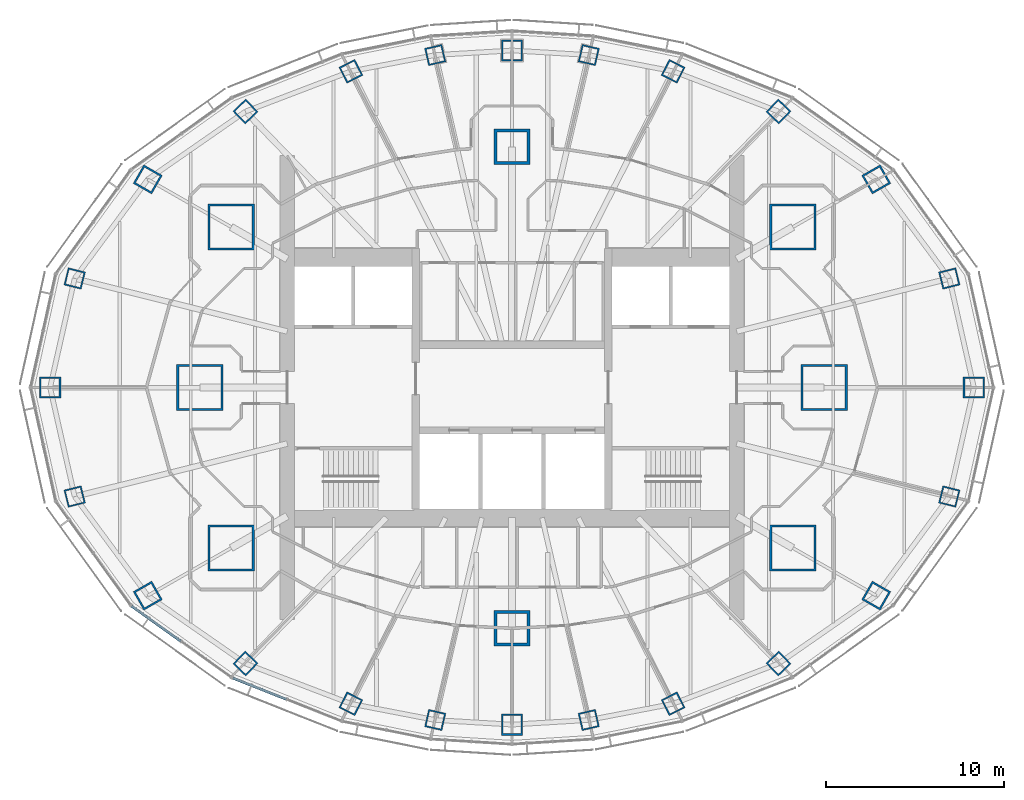
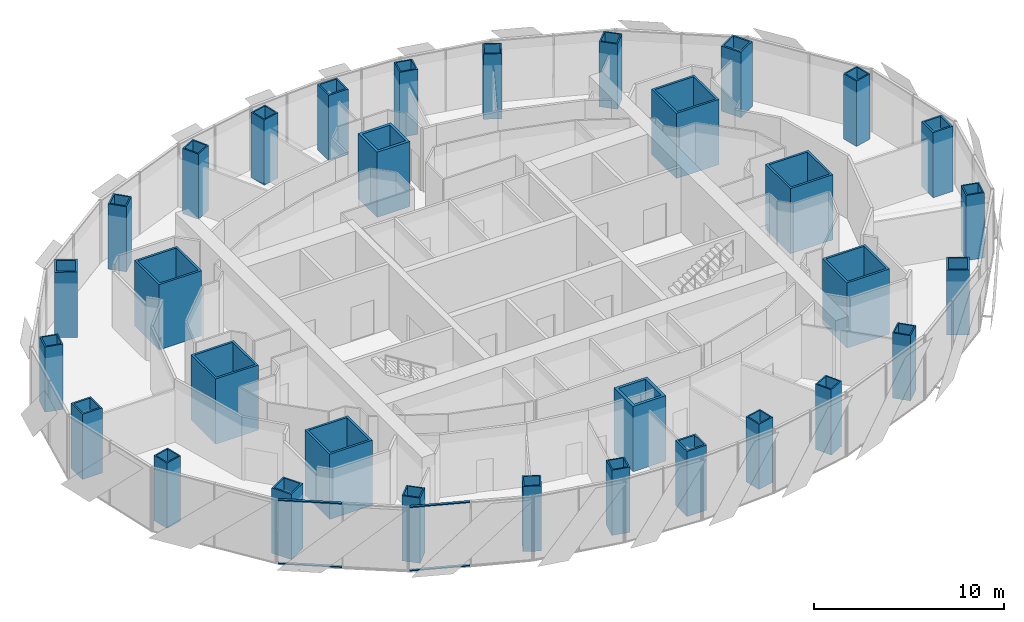
# One storey, part 1 of 18: 32 columns, 4 members, 2 elements without a shape of their own.
"""IFC4 building model written with IfcOpenShell, lengths in metres."""

from ifc_helpers import new_model, si_unit, direction, frame, origin, origin_2d, place, context, subcontext, project, spatial, rectangle, hollow_rectangle, extrude, material, material_profile, profile_set, type_object, element, aggregate, save


model = new_model("IFC4")

# Units and contexts
model_context = context("Model", 3, precision=1e-05, world=origin(), true_north=direction((0.0, 1.0)))
body_context = subcontext(model_context, "Body", "Model", "MODEL_VIEW")
ifc_project = project(units=[si_unit("LENGTHUNIT", "METRE"), si_unit("AREAUNIT", "SQUARE_METRE"), si_unit("VOLUMEUNIT", "CUBIC_METRE"), si_unit("PLANEANGLEUNIT", "RADIAN"), si_unit("MASSUNIT", "GRAM", prefix="KILO")], contexts=[model_context])

# Site, building, storey
site_placement = place(None, origin())
site = spatial("IfcSite", under=ifc_project, at=site_placement, CompositionType="ELEMENT")
building_placement = place(site_placement, origin())
building = spatial("IfcBuilding", under=site, at=building_placement, Name="Lantaw Convention Tower", CompositionType="ELEMENT")
storey_placement = place(building_placement, frame((0.0, 0.0, 228.39990234375)))
storey = spatial("IfcBuildingStorey", under=building, at=storey_placement, Name="L53", CompositionType="ELEMENT", Elevation=228.39990234375)

# Columns
ifc_material_1 = material(Name="Steel EN 10025-3 S460N", Category="steel")
ifc_material_profile_1 = material_profile(ifc_material_1, hollow_rectangle(XDim=2.0, YDim=2.0, WallThickness=0.169921875, at=origin_2d()), Name="BOX2000X170")
ifc_material_2 = material(Name="Concrete C60/75", Category="concrete")
ifc_material_profile_2 = material_profile(ifc_material_2, rectangle(XDim=1.659912109375, YDim=1.659912109375, at=origin_2d()), Name="Concrete fill of BOX2000X170")
ifc_profile_set_1 = profile_set([ifc_material_profile_1, ifc_material_profile_2], Name="Steel EN 10025-3 S460N")
column_type_1 = type_object("IfcColumnType", Name="Column MC BOX2000X170", PredefinedType="COLUMN", material=ifc_profile_set_1)
for number, where, z_axis, x_axis, name in (
    (1, (0.0, 13.5, 0.0), (0.0, 0.0, 1.0), (1.0, 0.0, 0.0), "Mega column M3"),
    (2, (0.0, -13.5, 0.0), (0.0, 0.0, 1.0), (1.0, 0.0, 0.0), "Mega column M7"),
):
    element("IfcColumn", number, at=place(storey_placement, frame(where, z_axis=z_axis, x_axis=x_axis)), inside=storey, type_object=column_type_1, Name=name, PredefinedType="COLUMN", context=body_context, shape_type="SweptSolid", body=[
        extrude(hollow_rectangle(XDim=2.0, YDim=2.0, WallThickness=0.169921875, at=origin_2d()), origin(), (0.0, 0.0, 1.0), 4.2001953125),
    ])
ifc_material_profile_3 = material_profile(ifc_material_1, hollow_rectangle(XDim=2.60009765625, YDim=2.60009765625, WallThickness=0.1298828125, at=origin_2d()), Name="BOX2600X130")
ifc_material_profile_4 = material_profile(ifc_material_2, rectangle(XDim=2.340087890625, YDim=2.340087890625, at=origin_2d()), Name="Concrete fill of BOX2600X130")
ifc_profile_set_2 = profile_set([ifc_material_profile_3, ifc_material_profile_4], Name="Steel EN 10025-3 S460N")
column_type_2 = type_object("IfcColumnType", Name="Column MC BOX2600X130", PredefinedType="COLUMN", material=ifc_profile_set_2)
for number, where, z_axis, x_axis, name in (
    (3, (17.5, 0.0, 0.0), (0.0, 0.0, 1.0), (1.0, 0.0, 0.0), "Mega column M1"),
    (4, (15.75, 9.0, 0.0), (0.0, 0.0, 1.0), (1.0, 0.0, 0.0), "Mega column M2"),
    (5, (-15.75, 9.0, 0.0), (0.0, 0.0, 1.0), (1.0, 0.0, 0.0), "Mega column M4"),
    (6, (-17.5, 0.0, 0.0), (0.0, 0.0, 1.0), (1.0, 0.0, 0.0), "Mega column M5"),
    (7, (-15.75, -9.0, 0.0), (0.0, 0.0, 1.0), (1.0, 0.0, 0.0), "Mega column M6"),
    (8, (15.75, -9.0, 0.0), (0.0, 0.0, 1.0), (1.0, 0.0, 0.0), "Mega column M8"),
):
    element("IfcColumn", number, at=place(storey_placement, frame(where, z_axis=z_axis, x_axis=x_axis)), inside=storey, type_object=column_type_2, Name=name, PredefinedType="COLUMN", context=body_context, shape_type="SweptSolid", body=[
        extrude(hollow_rectangle(XDim=2.60009765625, YDim=2.60009765625, WallThickness=0.1298828125, at=origin_2d()), origin(), (0.0, 0.0, 1.0), 4.2001953125),
    ])
ifc_material_3 = material(Name="Steel ASTM A572 Grade 50", Category="steel")
ifc_material_profile_5 = material_profile(ifc_material_3, hollow_rectangle(XDim=1.0, YDim=1.0, WallThickness=0.080078125, at=origin_2d()), Name="BOX1000X80")
ifc_material_profile_6 = material_profile(ifc_material_2, rectangle(XDim=0.840087890625, YDim=0.840087890625, at=origin_2d()), Name="Concrete fill of BOX1000X80")
ifc_profile_set_3 = profile_set([ifc_material_profile_5, ifc_material_profile_6], Name="Steel ASTM A572 Grade 50")
column_type_3 = type_object("IfcColumnType", Name="Column PC BOX1000X80", PredefinedType="COLUMN", material=ifc_profile_set_3)
for number, where, z_axis, x_axis, name in (
    (9, (24.52197265625, 6.114013671875, 0.0), (0.0, 0.0, 1.0), (0.970295726276, 0.2419218956, 0.0), "Perimeter column P2"),
    (10, (14.9443359375, 15.475341796875, 0.0), (0.0, 0.0, 1.0), (0.694658370459, 0.719339800339, 0.0), "Perimeter column P4"),
    (11, (9.03466796875, 17.7314453125, 0.0), (0.0, 0.0, 1.0), (0.45399049974, 0.891006524188, 0.0), "Perimeter column P5"),
    (12, (4.303955078125, 18.64208984375, 0.0), (0.0, 0.0, 1.0), (0.224951054344, 0.974370064785, 0.0), "Perimeter column P6"),
    (13, (-4.303955078125, 18.64208984375, 0.0), (0.0, 0.0, 1.0), (0.974370064785, 0.224951054344, 0.0), "Perimeter column P8"),
    (14, (-9.03466796875, 17.7314453125, 0.0), (0.0, 0.0, 1.0), (0.891006524188, 0.45399049974, 0.0), "Perimeter column P9"),
    (15, (-14.9443359375, 15.475341796875, 0.0), (0.0, 0.0, 1.0), (0.719339800339, 0.694658370459, 0.0), "Perimeter column P10"),
    (16, (-24.52197265625, 6.114013671875, 0.0), (0.0, 0.0, 1.0), (0.2419218956, 0.970295726276, 0.0), "Perimeter column P12"),
    (17, (-24.52197265625, -6.114013671875, 0.0), (0.0, 0.0, 1.0), (0.970295726276, 0.2419218956, 0.0), "Perimeter column P14"),
    (18, (-14.9443359375, -15.475341796875, 0.0), (0.0, 0.0, 1.0), (0.694658370459, 0.719339800339, 0.0), "Perimeter column P16"),
    (19, (-9.03466796875, -17.7314453125, 0.0), (0.0, 0.0, 1.0), (0.45399049974, 0.891006524188, 0.0), "Perimeter column P17"),
    (20, (-4.303955078125, -18.64208984375, 0.0), (0.0, 0.0, 1.0), (0.224951054344, 0.974370064785, 0.0), "Perimeter column P18"),
    (21, (4.303955078125, -18.64208984375, 0.0), (0.0, 0.0, 1.0), (0.974370064785, 0.224951054344, 0.0), "Perimeter column P20"),
    (22, (9.03466796875, -17.7314453125, 0.0), (0.0, 0.0, 1.0), (0.891006524188, 0.45399049974, 0.0), "Perimeter column P21"),
    (23, (14.9443359375, -15.475341796875, 0.0), (0.0, 0.0, 1.0), (0.719339800339, 0.694658370459, 0.0), "Perimeter column P22"),
    (24, (24.52197265625, -6.114013671875, 0.0), (0.0, 0.0, 1.0), (0.2419218956, 0.970295726276, 0.0), "Perimeter column P24"),
):
    element("IfcColumn", number, at=place(storey_placement, frame(where, z_axis=z_axis, x_axis=x_axis)), inside=storey, type_object=column_type_3, Name=name, PredefinedType="COLUMN", context=body_context, shape_type="SweptSolid", body=[
        extrude(hollow_rectangle(XDim=1.0, YDim=1.0, WallThickness=0.080078125, at=origin_2d()), origin(), (0.0, 0.0, 1.0), 4.2001953125),
    ])
ifc_material_profile_7 = material_profile(ifc_material_1, hollow_rectangle(XDim=1.199951171875, YDim=1.199951171875, WallThickness=0.10009765625, at=origin_2d()), Name="BOX1200X100")
ifc_material_profile_8 = material_profile(ifc_material_2, rectangle(XDim=1.0, YDim=1.0, at=origin_2d()), Name="Concrete fill of BOX1200X100")
ifc_profile_set_4 = profile_set([ifc_material_profile_7, ifc_material_profile_8], Name="Steel EN 10025-3 S460N")
column_type_4 = type_object("IfcColumnType", Name="Column PC BOX1200X100", PredefinedType="COLUMN", material=ifc_profile_set_4)
for number, where, z_axis, x_axis, name in (
    (25, (25.89990234375, 0.0, 0.0), (0.0, 0.0, 1.0), (1.0, 0.0, 0.0), "Perimeter column P1"),
    (26, (20.423095703125, 11.67041015625, 0.0), (0.0, 0.0, 1.0), (0.86824298017, 0.496139221777, 0.0), "Perimeter column P3"),
    (27, (0.0, 18.89990234375, 0.0), (0.0, 0.0, 1.0), (1.0, 0.0, 0.0), "Perimeter column P7"),
    (28, (-20.423095703125, 11.67041015625, 0.0), (0.0, 0.0, 1.0), (0.496139221777, 0.86824298017, 0.0), "Perimeter column P11"),
    (29, (-25.89990234375, 0.0, 0.0), (0.0, 0.0, 1.0), (1.0, 0.0, 0.0), "Perimeter column P13"),
    (30, (-20.423095703125, -11.67041015625, 0.0), (0.0, 0.0, 1.0), (0.86824298017, 0.496139221777, 0.0), "Perimeter column P15"),
    (31, (0.0, -18.89990234375, 0.0), (0.0, 0.0, 1.0), (1.0, 0.0, 0.0), "Perimeter column P19"),
    (32, (20.423095703125, -11.67041015625, 0.0), (0.0, 0.0, 1.0), (0.496139221777, 0.86824298017, 0.0), "Perimeter column P23"),
):
    element("IfcColumn", number, at=place(storey_placement, frame(where, z_axis=z_axis, x_axis=x_axis)), inside=storey, type_object=column_type_4, Name=name, PredefinedType="COLUMN", context=body_context, shape_type="SweptSolid", body=[
        extrude(hollow_rectangle(XDim=1.199951171875, YDim=1.199951171875, WallThickness=0.10009765625, at=origin_2d()), origin(), (0.0, 0.0, 1.0), 4.2001953125),
    ])

# Curtain wall, members
ifc_material_4 = material(Name="Aluminium framed curtain wall", Category="aluminium")
curtain_wall_type = type_object("IfcCurtainWallType", Name="Office curtain wall high rise, pale aluminium", PredefinedType="USERDEFINED", material=ifc_material_4)
curtain_wall_1_placement = place(storey_placement, origin())
curtain_wall_1 = element("IfcCurtainWall", 33, at=curtain_wall_1_placement, inside=storey, type_object=curtain_wall_type, Name="Office curtain wall high rise, pale aluminium L53", ObjectType="UNITISED CURTAIN WALL", PredefinedType="USERDEFINED")
ifc_material_5 = material(Name="Aluminium 6063-T6", Category="aluminium")
ifc_material_profile_9 = material_profile(ifc_material_5, rectangle(XDim=0.14990234375, YDim=0.06494140625, at=origin_2d()), Name="CW-O2 transom 65x150")
ifc_profile_set_5 = profile_set([ifc_material_profile_9], Name="Aluminium 6063-T6")
member_type = type_object("IfcMemberType", Name="CW-O2 transom 65x150", PredefinedType="USERDEFINED", material=ifc_profile_set_5)
member_1_placement = place(storey_placement, frame((-21.3251953125, -12.25390625, -0.117431640625), z_axis=(0.813679882592, -0.581313210468, 0.0), x_axis=(0.581313210468, 0.813679882592, 0.0)))
member_1 = element("IfcMember", 34, at=member_1_placement, type_object=member_type, Name="CW-O2 transom 1.1", ObjectType="TRANSOM", PredefinedType="USERDEFINED", context=body_context, shape_type="SweptSolid", body=[
    extrude(rectangle(XDim=0.14990234375, YDim=0.06494140625, at=origin_2d()), origin(), (0.0, 0.0, 1.0), 3.38623046875),
])
member_2_placement = place(storey_placement, frame((-21.3251953125, -12.25390625, 3.967529296875), z_axis=(0.813679882592, -0.581313210468, 0.0), x_axis=(0.581313210468, 0.813679882592, 0.0)))
member_2 = element("IfcMember", 35, at=member_2_placement, type_object=member_type, Name="CW-O2 transom 1.2", ObjectType="TRANSOM", PredefinedType="USERDEFINED", context=body_context, shape_type="SweptSolid", body=[
    extrude(rectangle(XDim=0.14990234375, YDim=0.06494140625, at=origin_2d()), origin(), (0.0, 0.0, 1.0), 3.38623046875),
])
aggregate(curtain_wall_1, [member_1, member_2])

curtain_wall_2_placement = place(storey_placement, origin())
curtain_wall_2 = element("IfcCurtainWall", 36, at=curtain_wall_2_placement, inside=storey, type_object=curtain_wall_type, Name="Office curtain wall high rise, pale aluminium L53", ObjectType="UNITISED CURTAIN WALL", PredefinedType="USERDEFINED")
member_3_placement = place(storey_placement, frame((-15.648193359375, -16.29052734375, -0.117431640625), z_axis=(0.929740712354, -0.368214893495, 0.0), x_axis=(0.368214893495, 0.929740712354, 0.0)))
member_3 = element("IfcMember", 37, at=member_3_placement, type_object=member_type, Name="CW-O2 transom 1.1", ObjectType="TRANSOM", PredefinedType="USERDEFINED", context=body_context, shape_type="SweptSolid", body=[
    extrude(rectangle(XDim=0.14990234375, YDim=0.06494140625, at=origin_2d()), origin(), (0.0, 0.0, 1.0), 3.22314453125),
])
member_4_placement = place(storey_placement, frame((-15.648193359375, -16.29052734375, 3.967529296875), z_axis=(0.929740712354, -0.368214893495, 0.0), x_axis=(0.368214893495, 0.929740712354, 0.0)))
member_4 = element("IfcMember", 38, at=member_4_placement, type_object=member_type, Name="CW-O2 transom 1.2", ObjectType="TRANSOM", PredefinedType="USERDEFINED", context=body_context, shape_type="SweptSolid", body=[
    extrude(rectangle(XDim=0.14990234375, YDim=0.06494140625, at=origin_2d()), origin(), (0.0, 0.0, 1.0), 3.22314453125),
])
aggregate(curtain_wall_2, [member_3, member_4])

save(model, "model.ifc")
